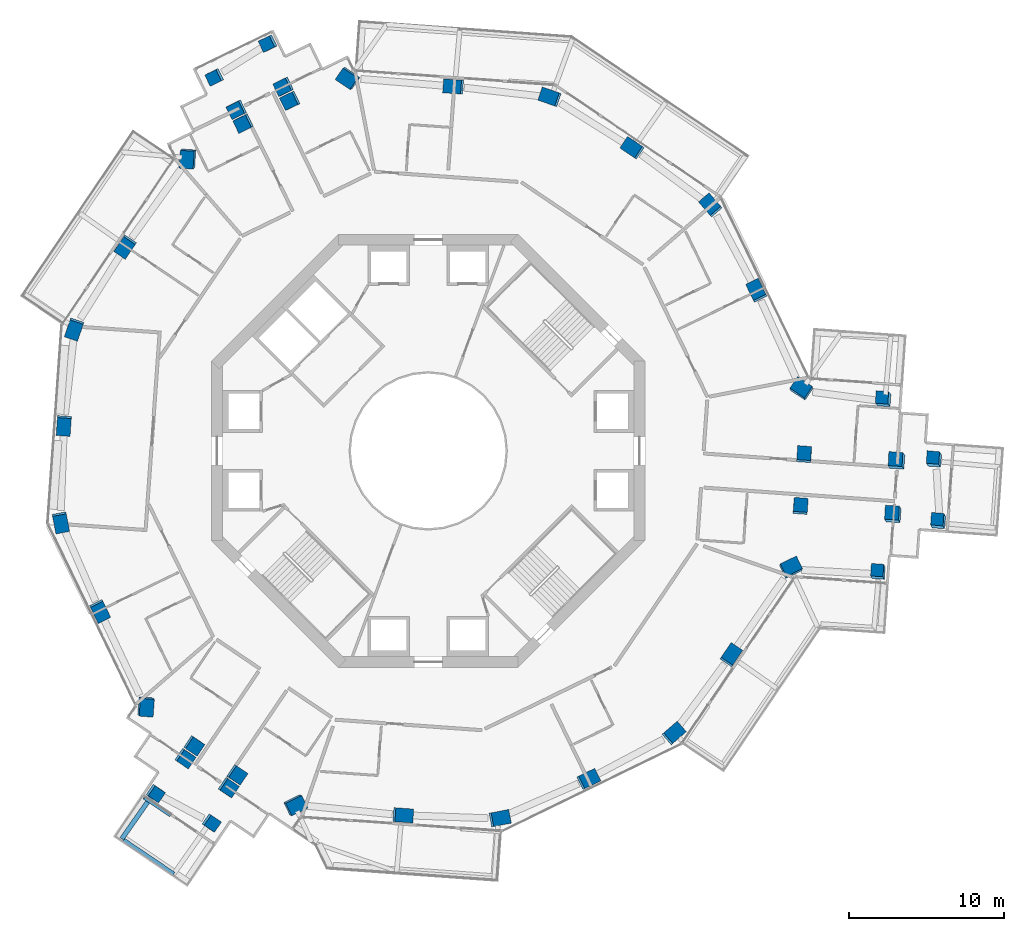
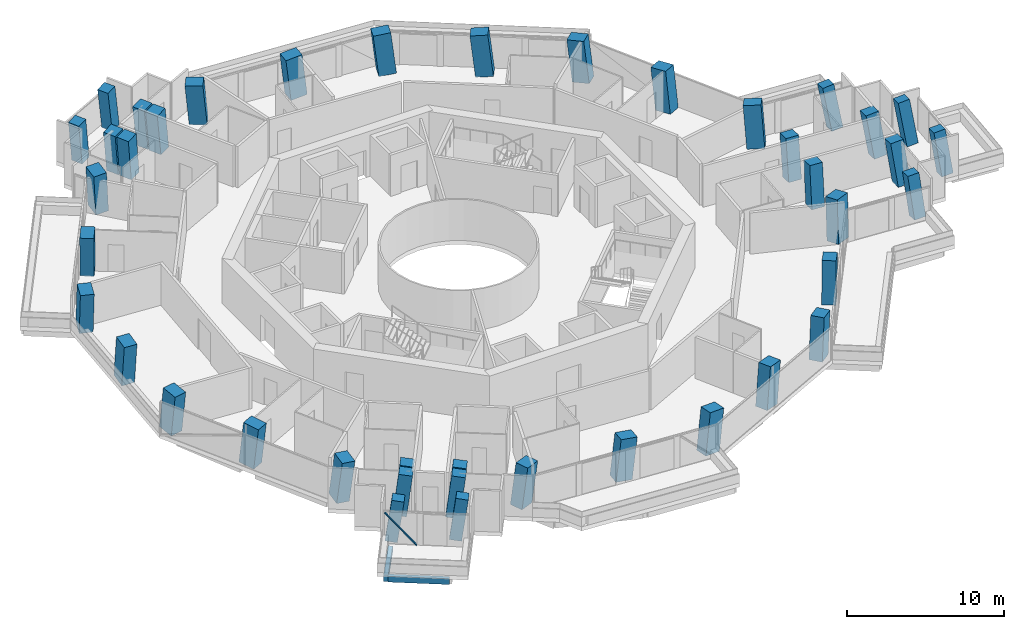
# One storey, part 1 of 22: 41 columns, 2 beams, 1 member, 1 element without a shape of its own.
"""IFC4 building model written with IfcOpenShell, lengths in metres."""

from ifc_helpers import new_model, si_unit, direction, frame, origin, origin_2d, place, context, subcontext, project, spatial, rectangle, extrude, material, layer, layer_set, material_profile, profile_set, type_object, element, aggregate, save


model = new_model("IFC4")

# Units and contexts
model_context = context("Model", 3, precision=1e-05, world=origin(), true_north=direction((0.0, 1.0)))
body_context = subcontext(model_context, "Body", "Model", "MODEL_VIEW")
ifc_project = project(units=[si_unit("LENGTHUNIT", "METRE"), si_unit("AREAUNIT", "SQUARE_METRE"), si_unit("VOLUMEUNIT", "CUBIC_METRE"), si_unit("PLANEANGLEUNIT", "RADIAN"), si_unit("MASSUNIT", "GRAM", prefix="KILO")], contexts=[model_context])

# Site, building, storey
site_placement = place(None, origin())
site = spatial("IfcSite", under=ifc_project, at=site_placement, CompositionType="ELEMENT")
building_placement = place(site_placement, origin())
building = spatial("IfcBuilding", under=site, at=building_placement, Name="Verdalira Terraces Hotel", CompositionType="ELEMENT")
storey_placement = place(building_placement, frame((0.0, 0.0, 140.0)))
storey = spatial("IfcBuildingStorey", under=building, at=storey_placement, Name="L33", CompositionType="ELEMENT", Elevation=140.0)

# Columns
ifc_material_1 = material(Name="Concrete C60", Category="concrete")
ifc_material_profile_1 = material_profile(ifc_material_1, rectangle(XDim=1.149902, YDim=0.899902, at=origin_2d()), Name="RC 1150X900")
ifc_profile_set_1 = profile_set([ifc_material_profile_1], Name="Concrete C60")
column_type_1 = type_object("IfcColumnType", Name="Column RC 1150X900 C60", PredefinedType="COLUMN", material=ifc_profile_set_1)
column_1_placement = place(storey_placement, frame((-15.505371, 18.909424, 0.0), z_axis=(-0.089242848, -0.074419717, 0.993225765), x_axis=(0.064272355, 0.994696032, 0.080304849)))
element("IfcColumn", 1, at=column_1_placement, inside=storey, type_object=column_type_1, Name="Column C01", PredefinedType="COLUMN", context=body_context, shape_type="SweptSolid", body=[
    extrude(rectangle(XDim=1.149902, YDim=0.899902, at=origin_2d()), origin(), (0.0, 0.0, 1.0), 3.21167),
])
column_2_placement = place(storey_placement, frame((-19.553711, 13.229004, 0.0), z_axis=(-0.062208942, -0.093541564, 0.993669977), x_axis=(-0.557258378, -0.822705306, -0.112334676)))
element("IfcColumn", 2, at=column_2_placement, inside=storey, type_object=column_type_1, Name="Column C02", PredefinedType="COLUMN", context=body_context, shape_type="SweptSolid", body=[
    extrude(rectangle(XDim=1.149902, YDim=0.899902, at=origin_2d()), origin(), (0.0, 0.0, 1.0), 3.210205),
])
column_3_placement = place(storey_placement, frame((-22.863525, 7.908203, 0.0), z_axis=(-0.036720749, -0.10902185, 0.993360872), x_axis=(0.325061801, 0.938670117, 0.115035803)))
element("IfcColumn", 3, at=column_3_placement, inside=storey, type_object=column_type_1, Name="Column C03", PredefinedType="COLUMN", context=body_context, shape_type="SweptSolid", body=[
    extrude(rectangle(XDim=1.149902, YDim=0.899902, at=origin_2d()), origin(), (0.0, 0.0, 1.0), 3.211182),
])
column_4_placement = place(storey_placement, frame((-23.548584, 1.679688, 0.0), z_axis=(-0.006996623, -0.112098063, 0.993672517), x_axis=(-0.070312823, -0.991182161, -0.112312206)))
element("IfcColumn", 4, at=column_4_placement, inside=storey, type_object=column_type_1, Name="Column C04", PredefinedType="COLUMN", context=body_context, shape_type="SweptSolid", body=[
    extrude(rectangle(XDim=1.149902, YDim=0.899902, at=origin_2d()), origin(), (0.0, 0.0, 1.0), 3.210205),
])
column_5_placement = place(storey_placement, frame((-23.754639, -4.583008, 0.0), z_axis=(0.02273176, -0.112822514, 0.993355096), x_axis=(-0.187926686, 0.97541727, 0.115085666)))
element("IfcColumn", 5, at=column_5_placement, inside=storey, type_object=column_type_1, Name="Column C05", PredefinedType="COLUMN", context=body_context, shape_type="SweptSolid", body=[
    extrude(rectangle(XDim=1.149902, YDim=0.899902, at=origin_2d()), origin(), (0.0, 0.0, 1.0), 3.211182),
])
column_6_placement = place(storey_placement, frame((-21.233398, -10.31958, 0.0), z_axis=(0.04988903, -0.100614614, 0.993673882), x_axis=(0.433851601, -0.893958315, -0.11230013)))
element("IfcColumn", 6, at=column_6_placement, inside=storey, type_object=column_type_1, Name="Column C06", PredefinedType="COLUMN", context=body_context, shape_type="SweptSolid", body=[
    extrude(rectangle(XDim=1.149902, YDim=0.899902, at=origin_2d()), origin(), (0.0, 0.0, 1.0), 3.210205),
])
column_7_placement = place(storey_placement, frame((-18.285889, -16.499023, 0.0), z_axis=(0.0792002, -0.086268932, 0.993118825), x_axis=(0.077523727, 0.993764179, 0.080142555)))
element("IfcColumn", 7, at=column_7_placement, inside=storey, type_object=column_type_1, Name="Column C07", PredefinedType="COLUMN", context=body_context, shape_type="SweptSolid", body=[
    extrude(rectangle(XDim=1.149902, YDim=0.899902, at=origin_2d()), origin(), (0.0, 0.0, 1.0), 3.212158),
])
column_8_placement = place(storey_placement, frame((-8.623291, -22.882812, 0.0), z_axis=(0.109158074, -0.040060101, 0.993216846), x_axis=(-0.893388767, -0.442039795, 0.080357516)))
element("IfcColumn", 8, at=column_8_placement, inside=storey, type_object=column_type_1, Name="Column C10", PredefinedType="COLUMN", context=body_context, shape_type="SweptSolid", body=[
    extrude(rectangle(XDim=1.149902, YDim=0.899902, at=origin_2d()), origin(), (0.0, 0.0, 1.0), 3.21167),
])
column_9_placement = place(storey_placement, frame((-1.679688, -23.548584, 0.0), z_axis=(0.112098063, -0.006996623, 0.993672517), x_axis=(0.991182161, -0.070312823, -0.112312206)))
element("IfcColumn", 9, at=column_9_placement, inside=storey, type_object=column_type_1, Name="Column C11", PredefinedType="COLUMN", context=body_context, shape_type="SweptSolid", body=[
    extrude(rectangle(XDim=1.149902, YDim=0.899902, at=origin_2d()), origin(), (0.0, 0.0, 1.0), 3.210205),
])
column_10_placement = place(storey_placement, frame((4.583008, -23.754639, 0.0), z_axis=(0.112822514, 0.02273176, 0.993355096), x_axis=(-0.97541727, -0.187926686, 0.115085666)))
element("IfcColumn", 10, at=column_10_placement, inside=storey, type_object=column_type_1, Name="Column C12", PredefinedType="COLUMN", context=body_context, shape_type="SweptSolid", body=[
    extrude(rectangle(XDim=1.149902, YDim=0.899902, at=origin_2d()), origin(), (0.0, 0.0, 1.0), 3.211182),
])
column_11_placement = place(storey_placement, frame((10.31958, -21.233398, 0.0), z_axis=(0.100614614, 0.04988903, 0.993673882), x_axis=(0.893958315, 0.433851601, -0.11230013)))
element("IfcColumn", 11, at=column_11_placement, inside=storey, type_object=column_type_1, Name="Column C13", PredefinedType="COLUMN", context=body_context, shape_type="SweptSolid", body=[
    extrude(rectangle(XDim=1.149902, YDim=0.899902, at=origin_2d()), origin(), (0.0, 0.0, 1.0), 3.210205),
])
column_12_placement = place(storey_placement, frame((15.846191, -18.280518, 0.0), z_axis=(0.086290312, 0.076026707, 0.993364949), x_axis=(-0.750890104, -0.650337538, 0.115000597)))
element("IfcColumn", 12, at=column_12_placement, inside=storey, type_object=column_type_1, Name="Column C14", PredefinedType="COLUMN", context=body_context, shape_type="SweptSolid", body=[
    extrude(rectangle(XDim=1.149902, YDim=0.899902, at=origin_2d()), origin(), (0.0, 0.0, 1.0), 3.211182),
])
column_13_placement = place(storey_placement, frame((19.553711, -13.229004, 0.0), z_axis=(0.062208942, 0.093541564, 0.993669977), x_axis=(0.557258378, 0.822705306, -0.112334676)))
element("IfcColumn", 13, at=column_13_placement, inside=storey, type_object=column_type_1, Name="Column C15", PredefinedType="COLUMN", context=body_context, shape_type="SweptSolid", body=[
    extrude(rectangle(XDim=1.149902, YDim=0.899902, at=origin_2d()), origin(), (0.0, 0.0, 1.0), 3.210205),
])
column_14_placement = place(storey_placement, frame((23.431396, -7.586426, 0.0), z_axis=(0.035191514, 0.111731155, 0.993115153), x_axis=(-0.899659746, -0.429169077, 0.080163861)))
element("IfcColumn", 14, at=column_14_placement, inside=storey, type_object=column_type_1, Name="Column C16", PredefinedType="COLUMN", context=body_context, shape_type="SweptSolid", body=[
    extrude(rectangle(XDim=1.149902, YDim=0.899902, at=origin_2d()), origin(), (0.0, 0.0, 1.0), 3.212158),
])
column_15_placement = place(storey_placement, frame((24.128906, 3.973389, 0.0), z_axis=(-0.019916035, 0.114555209, 0.993217225), x_axis=(0.829659798, -0.552456015, 0.080355279)))
element("IfcColumn", 15, at=column_15_placement, inside=storey, type_object=column_type_1, Name="Column C21", PredefinedType="COLUMN", context=body_context, shape_type="SweptSolid", body=[
    extrude(rectangle(XDim=1.149902, YDim=0.899902, at=origin_2d()), origin(), (0.0, 0.0, 1.0), 3.21167),
])
column_16_placement = place(storey_placement, frame((21.233398, 10.31958, 0.0), z_axis=(-0.04988903, 0.100614614, 0.993673882), x_axis=(-0.433851601, 0.893958315, -0.11230013)))
element("IfcColumn", 16, at=column_16_placement, inside=storey, type_object=column_type_1, Name="Column C22", PredefinedType="COLUMN", context=body_context, shape_type="SweptSolid", body=[
    extrude(rectangle(XDim=1.149902, YDim=0.899902, at=origin_2d()), origin(), (0.0, 0.0, 1.0), 3.210205),
])
column_17_placement = place(storey_placement, frame((18.280518, 15.846191, 0.0), z_axis=(-0.076026707, 0.086290312, 0.993364949), x_axis=(0.650337538, -0.750890104, 0.115000597)))
element("IfcColumn", 17, at=column_17_placement, inside=storey, type_object=column_type_1, Name="Column C23", PredefinedType="COLUMN", context=body_context, shape_type="SweptSolid", body=[
    extrude(rectangle(XDim=1.149902, YDim=0.899902, at=origin_2d()), origin(), (0.0, 0.0, 1.0), 3.211182),
])
column_18_placement = place(storey_placement, frame((13.229004, 19.553711, 0.0), z_axis=(-0.093541564, 0.062208942, 0.993669977), x_axis=(-0.822705306, 0.557258378, -0.112334676)))
element("IfcColumn", 18, at=column_18_placement, inside=storey, type_object=column_type_1, Name="Column C24", PredefinedType="COLUMN", context=body_context, shape_type="SweptSolid", body=[
    extrude(rectangle(XDim=1.149902, YDim=0.899902, at=origin_2d()), origin(), (0.0, 0.0, 1.0), 3.210205),
])
column_19_placement = place(storey_placement, frame((7.908203, 22.863525, 0.0), z_axis=(-0.10902185, 0.036720749, 0.993360872), x_axis=(0.938670117, -0.325061801, 0.115035803)))
element("IfcColumn", 19, at=column_19_placement, inside=storey, type_object=column_type_1, Name="Column C25", PredefinedType="COLUMN", context=body_context, shape_type="SweptSolid", body=[
    extrude(rectangle(XDim=1.149902, YDim=0.899902, at=origin_2d()), origin(), (0.0, 0.0, 1.0), 3.211182),
])
column_20_placement = place(storey_placement, frame((1.679688, 23.548584, 0.0), z_axis=(-0.112098063, 0.006996623, 0.993672517), x_axis=(-0.991182161, 0.070312823, -0.112312206)))
element("IfcColumn", 20, at=column_20_placement, inside=storey, type_object=column_type_1, Name="Column C26", PredefinedType="COLUMN", context=body_context, shape_type="SweptSolid", body=[
    extrude(rectangle(XDim=1.149902, YDim=0.899902, at=origin_2d()), origin(), (0.0, 0.0, 1.0), 3.210205),
])
column_21_placement = place(storey_placement, frame((-5.145752, 24.085449, 0.0), z_axis=(-0.114315974, -0.025386659, 0.993120021), x_axis=(0.821537894, -0.564494262, 0.080135612)))
element("IfcColumn", 21, at=column_21_placement, inside=storey, type_object=column_type_1, Name="Column C27", PredefinedType="COLUMN", context=body_context, shape_type="SweptSolid", body=[
    extrude(rectangle(XDim=1.149902, YDim=0.899902, at=origin_2d()), origin(), (0.0, 0.0, 1.0), 3.212158),
])
ifc_material_2 = material(Name="Concrete C60", Category="concrete")
ifc_material_profile_2 = material_profile(ifc_material_2, rectangle(XDim=0.800049, YDim=0.800049, at=origin_2d()), Name="RC 800X800")
ifc_profile_set_2 = profile_set([ifc_material_profile_2], Name="Concrete C60")
column_type_2 = type_object("IfcColumnType", Name="Column RC 800X800 C60", PredefinedType="COLUMN", material=ifc_profile_set_2)
column_22_placement = place(storey_placement, frame((-17.670166, -22.102783, 0.0), z_axis=(0.105571289, -0.082970539, 0.990944293), x_axis=(0.82147801, -0.554290021, -0.133927038)))
element("IfcColumn", 22, at=column_22_placement, inside=storey, type_object=column_type_2, Name="Column C08", PredefinedType="COLUMN", context=body_context, shape_type="SweptSolid", body=[
    extrude(rectangle(XDim=0.800049, YDim=0.800049, at=origin_2d()), origin(), (0.0, 0.0, 1.0), 3.218994),
])
column_23_placement = place(storey_placement, frame((-14.060791, -24.013428, 0.0), z_axis=(0.114479553, -0.065774534, 0.991245753), x_axis=(0.820235736, -0.556666018, -0.131667317)))
element("IfcColumn", 23, at=column_23_placement, inside=storey, type_object=column_type_2, Name="Column C09", PredefinedType="COLUMN", context=body_context, shape_type="SweptSolid", body=[
    extrude(rectangle(XDim=0.800049, YDim=0.800049, at=origin_2d()), origin(), (0.0, 0.0, 1.0), 3.218018),
])
column_24_placement = place(storey_placement, frame((29.106934, -7.880859, 0.0), z_axis=(-0.071839114, 0.143678229, 0.98701353), x_axis=(0.994950562, -0.059215164, 0.081036677)))
element("IfcColumn", 24, at=column_24_placement, inside=storey, type_object=column_type_2, Name="Column C17", PredefinedType="COLUMN", context=body_context, shape_type="SweptSolid", body=[
    extrude(rectangle(XDim=0.800049, YDim=0.800049, at=origin_2d()), origin(), (0.0, 0.0, 1.0), 3.231934),
])
column_25_placement = place(storey_placement, frame((33.009521, -4.610352, 0.0), z_axis=(-0.087049085, 0.161383135, 0.983045238), x_axis=(0.085665892, 0.984348448, -0.154011326)))
element("IfcColumn", 25, at=column_25_placement, inside=storey, type_object=column_type_2, Name="Column C18", PredefinedType="COLUMN", context=body_context, shape_type="SweptSolid", body=[
    extrude(rectangle(XDim=0.800049, YDim=0.800049, at=origin_2d()), origin(), (0.0, 0.0, 1.0), 3.244873),
])
column_26_placement = place(storey_placement, frame((32.752686, -0.621826, 0.0), z_axis=(-0.105690968, 0.159700781, 0.981491253), x_axis=(0.087829018, 0.984661286, -0.150758799)))
element("IfcColumn", 26, at=column_26_placement, inside=storey, type_object=column_type_2, Name="Column C19", PredefinedType="COLUMN", context=body_context, shape_type="SweptSolid", body=[
    extrude(rectangle(XDim=0.800049, YDim=0.800049, at=origin_2d()), origin(), (0.0, 0.0, 1.0), 3.25),
])
column_27_placement = place(storey_placement, frame((29.481934, 3.280762, 0.0), z_axis=(-0.123902352, 0.144264716, 0.981751445), x_axis=(-0.989796797, 0.052184645, -0.132586058)))
element("IfcColumn", 27, at=column_27_placement, inside=storey, type_object=column_type_2, Name="Column C20", PredefinedType="COLUMN", context=body_context, shape_type="SweptSolid", body=[
    extrude(rectangle(XDim=0.800049, YDim=0.800049, at=origin_2d()), origin(), (0.0, 0.0, 1.0), 3.249268),
])
column_28_placement = place(storey_placement, frame((-10.306641, 26.354248, 0.0), z_axis=(-0.124608239, -0.049903969, 0.990950241), x_axis=(-0.890849892, -0.43412181, -0.133883248)))
element("IfcColumn", 28, at=column_28_placement, inside=storey, type_object=column_type_2, Name="Column C28", PredefinedType="COLUMN", context=body_context, shape_type="SweptSolid", body=[
    extrude(rectangle(XDim=0.800049, YDim=0.800049, at=origin_2d()), origin(), (0.0, 0.0, 1.0), 3.218994),
])
column_29_placement = place(storey_placement, frame((-13.765869, 24.183838, 0.0), z_axis=(-0.114176052, -0.066305561, 0.991245379), x_axis=(-0.892018166, -0.432396314, -0.131670115)))
element("IfcColumn", 29, at=column_29_placement, inside=storey, type_object=column_type_2, Name="Column C29", PredefinedType="COLUMN", context=body_context, shape_type="SweptSolid", body=[
    extrude(rectangle(XDim=0.800049, YDim=0.800049, at=origin_2d()), origin(), (0.0, 0.0, 1.0), 3.218018),
])
ifc_material_3 = material(Name="Concrete C60", Category="concrete")
ifc_material_profile_3 = material_profile(ifc_material_3, rectangle(XDim=0.899902, YDim=0.899902, at=origin_2d()), Name="RC 900X900")
ifc_profile_set_3 = profile_set([ifc_material_profile_3], Name="Concrete C60")
column_type_3 = type_object("IfcColumnType", Name="Column RC 900X900 C60", PredefinedType="COLUMN", material=ifc_profile_set_3)
for number, where, z_axis, x_axis, name in (
    (30, (-8.888916, 22.651367, 0.0), (-0.107416123, -0.043179305, 0.993276056), (-0.43614696, 0.899839455, -0.008048894), "Column C30"),
    (31, (-11.907715, 21.184326, 0.0), (-0.10027254, -0.057472358, 0.993298719), (-0.437902192, 0.898988697, 0.007809771), "Column C31"),
):
    element("IfcColumn", number, at=place(storey_placement, frame(where, z_axis=z_axis, x_axis=x_axis)), inside=storey, type_object=column_type_3, Name=name, PredefinedType="COLUMN", context=body_context, shape_type="SweptSolid", body=[
        extrude(rectangle(XDim=0.899902, YDim=0.899902, at=origin_2d()), origin(), (0.0, 0.0, 1.0), 3.211426),
    ])
for number, where, z_axis, x_axis, name in (
    (32, (-9.311035, 23.558105, 0.0), (-0.111611079, -0.045206666, 0.992723186), (-0.436284861, 0.899772348, -0.008077293), "Column C32"),
    (33, (-12.344971, 22.08374, 0.0), (-0.104471208, -0.059567583, 0.992742399), (-0.438040109, 0.898921233, 0.007840892), "Column C33"),
):
    element("IfcColumn", number, at=place(storey_placement, frame(where, z_axis=z_axis, x_axis=x_axis)), inside=storey, type_object=column_type_3, Name=name, PredefinedType="COLUMN", context=body_context, shape_type="SweptSolid", body=[
        extrude(rectangle(XDim=0.899902, YDim=0.899902, at=origin_2d()), origin(), (0.0, 0.0, 1.0), 3.213379),
    ])
for number, where, z_axis, x_axis, name in (
    (34, (-15.172119, -19.023682, 0.0), (0.091071947, -0.071458789, 0.993277173), (-0.561476142, -0.827453786, -0.008048228), "Column C34"),
    (35, (-12.39209, -20.904541, 0.0), (0.099892281, -0.058156465, 0.993297215), (-0.559990472, -0.828462229, 0.007810644), "Column C35"),
):
    element("IfcColumn", number, at=place(storey_placement, frame(where, z_axis=z_axis, x_axis=x_axis)), inside=storey, type_object=column_type_3, Name=name, PredefinedType="COLUMN", context=body_context, shape_type="SweptSolid", body=[
        extrude(rectangle(XDim=0.899902, YDim=0.899902, at=origin_2d()), origin(), (0.0, 0.0, 1.0), 3.211426),
    ])
column_30_placement = place(storey_placement, frame((-15.746338, -19.842773, 0.0), z_axis=(0.094896916, -0.074002879, 0.992732668), x_axis=(-0.561050217, -0.82774241, -0.008072049)))
element("IfcColumn", 36, at=column_30_placement, inside=storey, type_object=column_type_3, Name="Column C36", PredefinedType="COLUMN", context=body_context, shape_type="SweptSolid", body=[
    extrude(rectangle(XDim=0.899902, YDim=0.899902, at=origin_2d()), origin(), (0.0, 0.0, 1.0), 3.213379),
])
column_31_placement = place(storey_placement, frame((-12.952393, -21.73291, 0.0), z_axis=(0.103787673, -0.060707431, 0.992745046), x_axis=(-0.559688559, -0.828665952, 0.007839467)))
element("IfcColumn", 37, at=column_31_placement, inside=storey, type_object=column_type_3, Name="Column C37", PredefinedType="COLUMN", context=body_context, shape_type="SweptSolid", body=[
    extrude(rectangle(XDim=0.899902, YDim=0.899902, at=origin_2d()), origin(), (0.0, 0.0, 1.0), 3.213135),
])
for number, where, z_axis, x_axis, name in (
    (38, (24.061279, -3.627686, 0.0), (0.01626837, 0.114562772, 0.993282795), (0.997380747, -0.071881336, -0.008044873), "Column C38"),
    (39, (24.300049, -0.279541, 0.0), (0.000380109, 0.115553181, 0.993301222), (0.997488146, -0.070401915, 0.007808317), "Column C39"),
):
    element("IfcColumn", number, at=place(storey_placement, frame(where, z_axis=z_axis, x_axis=x_axis)), inside=storey, type_object=column_type_3, Name=name, PredefinedType="COLUMN", context=body_context, shape_type="SweptSolid", body=[
        extrude(rectangle(XDim=0.899902, YDim=0.899902, at=origin_2d()), origin(), (0.0, 0.0, 1.0), 3.211426),
    ])
column_32_placement = place(storey_placement, frame((30.083008, -4.173096, 0.0), z_axis=(-0.089105969, 0.147831476, 0.984990346), x_axis=(0.993518874, -0.056876808, 0.098413801)))
element("IfcColumn", 40, at=column_32_placement, inside=storey, type_object=column_type_3, Name="Column C40", PredefinedType="COLUMN", context=body_context, shape_type="SweptSolid", body=[
    extrude(rectangle(XDim=0.899902, YDim=0.899902, at=origin_2d()), origin(), (0.0, 0.0, 1.0), 3.238525),
])
column_33_placement = place(storey_placement, frame((30.330078, -0.709717, 0.0), z_axis=(-0.105280804, 0.148627297, 0.983273044), x_axis=(0.991937261, -0.054445816, 0.114438291)))
element("IfcColumn", 41, at=column_33_placement, inside=storey, type_object=column_type_3, Name="Column C41", PredefinedType="COLUMN", context=body_context, shape_type="SweptSolid", body=[
    extrude(rectangle(XDim=0.899902, YDim=0.899902, at=origin_2d()), origin(), (0.0, 0.0, 1.0), 3.244141),
])

# Beams
ifc_material_4 = material(Name="Concrete C40", Category="concrete")
ifc_material_profile_4 = material_profile(ifc_material_4, rectangle(XDim=0.300049, YDim=0.5, at=origin_2d()), Name="RC 300X500")
ifc_profile_set_4 = profile_set([ifc_material_profile_4], Name="Concrete C40")
beam_type_1 = type_object("IfcBeamType", Name="Balcony cantilever beam RC 300X500 C40", PredefinedType="BEAM", material=ifc_profile_set_4)
beam_1_placement = place(storey_placement, frame((-17.932373, -22.403809, -0.560059), z_axis=(-0.574126761, -0.818766427, 0.0), x_axis=(0.818766427, -0.574126761, 0.0)))
element("IfcBeam", 42, at=beam_1_placement, inside=storey, type_object=beam_type_1, Name="Balcony cantilever beam R19-1", PredefinedType="BEAM", context=body_context, shape_type="SweptSolid", body=[
    extrude(rectangle(XDim=0.300049, YDim=0.5, at=origin_2d()), origin(), (0.0, 0.0, 1.0), 3.254395),
])
ifc_material_5 = material(Name="Concrete C40", Category="concrete")
ifc_material_profile_5 = material_profile(ifc_material_5, rectangle(XDim=0.25, YDim=0.449951, at=origin_2d()), Name="RC 250X450")
ifc_profile_set_5 = profile_set([ifc_material_profile_5], Name="Concrete C40")
beam_type_2 = type_object("IfcBeamType", Name="Balcony edge beam RC 250X450 C40", PredefinedType="BEAM", material=ifc_profile_set_5)
beam_2_placement = place(storey_placement, frame((-19.676514, -25.152344, -0.534912), z_axis=(0.828249261, -0.56035985, 0.0), x_axis=(0.56035985, 0.828249261, 0.0)))
element("IfcBeam", 43, at=beam_2_placement, inside=storey, type_object=beam_type_2, Name="Balcony edge beam R19-1", PredefinedType="BEAM", context=body_context, shape_type="SweptSolid", body=[
    extrude(rectangle(XDim=0.25, YDim=0.449951, at=origin_2d()), origin(), (0.0, 0.0, 1.0), 3.90332),
])

# Curtain wall, member
ifc_material_6 = material(Name="Clear glass", Category="glass")
ifc_layer = layer(ifc_material_6, 0.14990234375)
ifc_layer_set = layer_set([ifc_layer], Name="CW3 curtain wall")
curtain_wall_type = type_object("IfcCurtainWallType", Name="CW3 curtain wall", PredefinedType="NOTDEFINED", material=ifc_layer_set)
curtain_wall_placement = place(storey_placement, origin())
curtain_wall = element("IfcCurtainWall", 44, at=curtain_wall_placement, inside=storey, type_object=curtain_wall_type, Name="CW3 curtain wall L33 edge 19", PredefinedType="NOTDEFINED")
ifc_material_7 = material(Name="Terracotta frame", Category="masonry")
ifc_material_profile_6 = material_profile(ifc_material_7, rectangle(XDim=0.149902, YDim=0.060059, at=origin_2d()), Name="GB 60x150")
ifc_profile_set_6 = profile_set([ifc_material_profile_6], Name="Terracotta frame")
member_type = type_object("IfcMemberType", Name="Diagonal glazing bar 60x150", PredefinedType="USERDEFINED", material=ifc_profile_set_6)
member_placement = place(storey_placement, frame((-18.372314, -22.43457, 2.446045), z_axis=(0.532898389, -0.360471893, -0.765558176), x_axis=(0.560289967, 0.828296537, 0.0)))
member = element("IfcMember", 45, at=member_placement, type_object=member_type, Name="Diagonal glazing bar", ObjectType="GLAZING BAR", PredefinedType="USERDEFINED", context=body_context, shape_type="SweptSolid", body=[
    extrude(rectangle(XDim=0.149902, YDim=0.060059, at=origin_2d()), origin(), (0.0, 0.0, 1.0), 3.157471),
])
aggregate(curtain_wall, [member])

save(model, "model.ifc")
